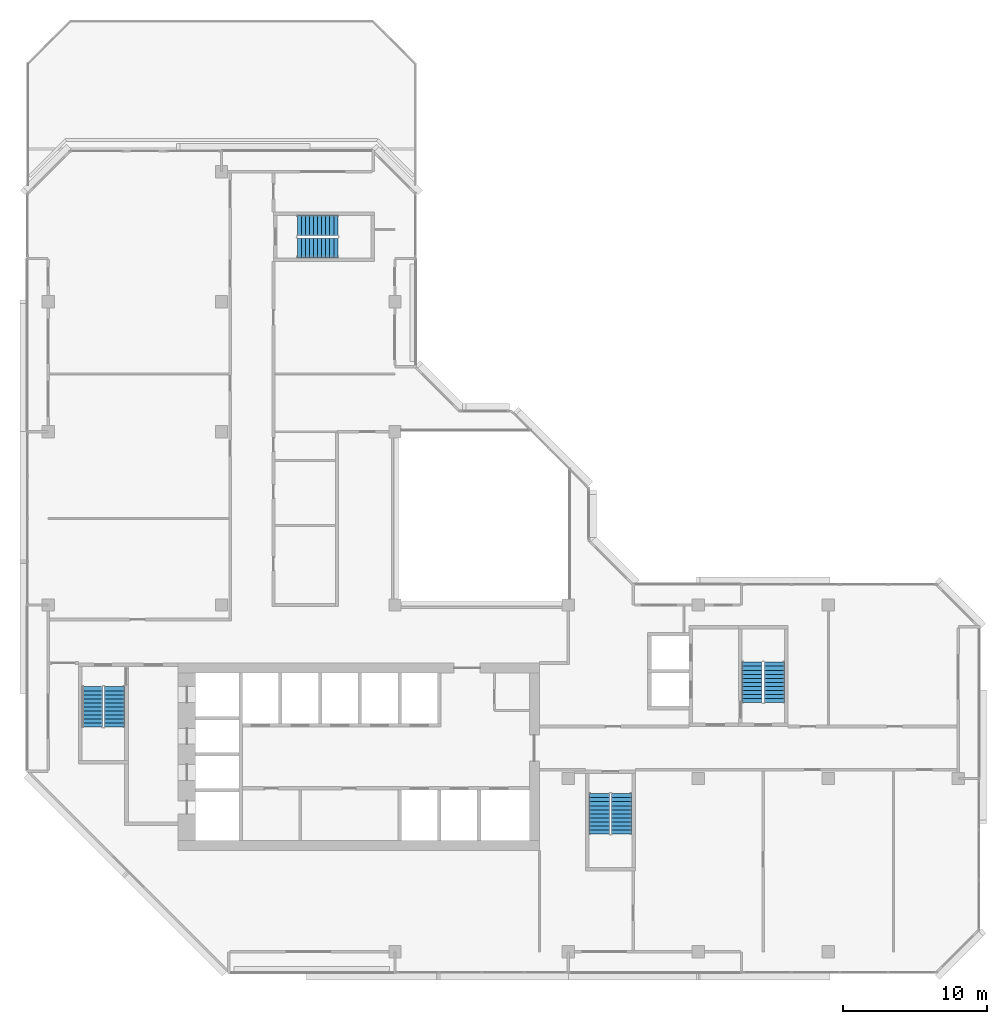
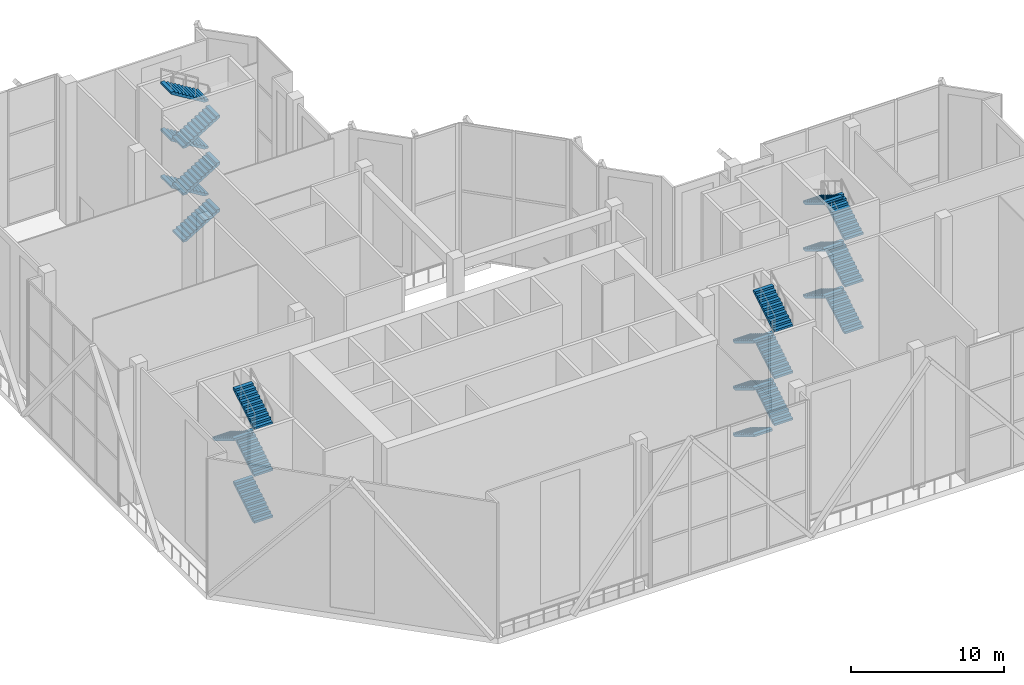
# One storey, part 14 of 18: 22 stair flights, 4 elements without a shape of their own.
"""IFC4 building model written with IfcOpenShell, lengths in metres."""

from ifc_helpers import new_model, si_unit, direction, frame, origin, place, context, subcontext, project, spatial, polyline, outline, extrude, material, type_object, element, aggregate, save


model = new_model("IFC4")

# Units and contexts
model_context = context("Model", 3, precision=1e-05, world=origin(), true_north=direction((0.0, 1.0)))
body_context = subcontext(model_context, "Body", "Model", "MODEL_VIEW")
ifc_project = project(units=[si_unit("LENGTHUNIT", "METRE"), si_unit("AREAUNIT", "SQUARE_METRE"), si_unit("VOLUMEUNIT", "CUBIC_METRE"), si_unit("PLANEANGLEUNIT", "RADIAN"), si_unit("MASSUNIT", "GRAM", prefix="KILO")], contexts=[model_context])

# Site, building, storey
site_placement = place(None, origin())
site = spatial("IfcSite", under=ifc_project, at=site_placement, CompositionType="ELEMENT")
building_placement = place(site_placement, origin())
building = spatial("IfcBuilding", under=site, at=building_placement, Name="Chenar Terraces", CompositionType="ELEMENT")
storey_placement = place(building_placement, frame((0.0, 0.0, 262.14990234375)))
storey = spatial("IfcBuildingStorey", under=building, at=storey_placement, Name="L62", CompositionType="ELEMENT", Elevation=262.14990234375)

# Stair, stair flights
ifc_material_1 = material(Name="Reinforced concrete C40/50", Category="concrete")
stair_type = type_object("IfcStairType", Name="Core stair 1400 half-turn", PredefinedType="HALF_TURN_STAIR", material=ifc_material_1)
placement = place(storey_placement, origin())
stair_1 = element("IfcStair", 1, at=placement, inside=storey, type_object=stair_type, Name="L62 Stair 1", PredefinedType="HALF_TURN_STAIR")
ifc_material_2 = material(Name="Reinforced concrete C40/50", Category="concrete")
stair_flight_type = type_object("IfcStairFlightType", Name="Core stair flight 1400", PredefinedType="STRAIGHT", material=ifc_material_2)
stair_flight_1_placement = place(storey_placement, frame((4.60009765625, 15.550048828125, 1.875), z_axis=(0.0, 0.0, 1.0), x_axis=(0.0, 1.0, 0.0)))
stair_flight_1 = element("IfcStairFlight", 2, at=stair_flight_1_placement, type_object=stair_flight_type, Name="ST1 flight 2", NumberOfRisers=11, NumberOfTreads=10, PredefinedType="STRAIGHT", RiserHeight=0.170454545, TreadLength=0.28, context=body_context, shape_type="SweptSolid", body=[
    extrude(outline(polyline([(-0.0029296875, 0.0), (-0.0029296875, 0.17041015625), (0.0, 0.17041015625), (0.280029296875, 0.17041015625), (0.280029296875, 0.3408203125), (0.56005859375, 0.3408203125), (0.56005859375, 0.511474609375), (0.840087890625, 0.511474609375), (0.840087890625, 0.681884765625), (1.1201171875, 0.681884765625), (1.1201171875, 0.852294921875), (1.39990234375, 0.852294921875), (1.39990234375, 1.022705078125), (1.679931640625, 1.022705078125), (1.679931640625, 1.193115234375), (1.9599609375, 1.193115234375), (1.9599609375, 1.363525390625), (2.239990234375, 1.363525390625), (2.239990234375, 1.5341796875), (2.52001953125, 1.5341796875), (2.52001953125, 1.70458984375), (2.800048828125, 1.70458984375), (2.802978515625, 1.70458984375), (2.802978515625, 1.529052734375), (2.800048828125, 1.529052734375), (0.288330078125, 0.0), (-0.0029296875, 0.0)])), frame((0.0, 0.699951171875, 0.0), z_axis=(0.0, -1.0, 0.0), x_axis=(1.0, 0.0, 0.0)), (0.0, 0.0, 1.0), 1.39990234375),
])
stair_flight_2_placement = place(storey_placement, frame((4.60009765625, 15.550048828125, 5.625), z_axis=(0.0, 0.0, 1.0), x_axis=(0.0, 1.0, 0.0)))
stair_flight_2 = element("IfcStairFlight", 3, at=stair_flight_2_placement, type_object=stair_flight_type, Name="ST1 flight 4", NumberOfRisers=11, NumberOfTreads=10, PredefinedType="STRAIGHT", RiserHeight=0.170454545, TreadLength=0.28, context=body_context, shape_type="SweptSolid", body=[
    extrude(outline(polyline([(-0.0029296875, 0.0), (-0.0029296875, 0.17041015625), (0.0, 0.17041015625), (0.280029296875, 0.17041015625), (0.280029296875, 0.3408203125), (0.56005859375, 0.3408203125), (0.56005859375, 0.511474609375), (0.840087890625, 0.511474609375), (0.840087890625, 0.681884765625), (1.1201171875, 0.681884765625), (1.1201171875, 0.852294921875), (1.39990234375, 0.852294921875), (1.39990234375, 1.022705078125), (1.679931640625, 1.022705078125), (1.679931640625, 1.193115234375), (1.9599609375, 1.193115234375), (1.9599609375, 1.363525390625), (2.239990234375, 1.363525390625), (2.239990234375, 1.5341796875), (2.52001953125, 1.5341796875), (2.52001953125, 1.70458984375), (2.800048828125, 1.70458984375), (2.802978515625, 1.70458984375), (2.802978515625, 1.529052734375), (2.800048828125, 1.529052734375), (0.288330078125, 0.0), (-0.0029296875, 0.0)])), frame((0.0, 0.699951171875, 0.0), z_axis=(0.0, -1.0, 0.0), x_axis=(1.0, 0.0, 0.0)), (0.0, 0.0, 1.0), 1.39990234375),
])
stair_flight_3_placement = place(storey_placement, frame((3.050048828125, 18.35009765625, 7.5), z_axis=(0.0, 0.0, 1.0), x_axis=(0.0, -1.0, 0.0)))
stair_flight_3 = element("IfcStairFlight", 4, at=stair_flight_3_placement, type_object=stair_flight_type, Name="ST1 flight 5", NumberOfRisers=11, NumberOfTreads=10, PredefinedType="STRAIGHT", RiserHeight=0.170454545, TreadLength=0.28, context=body_context, shape_type="SweptSolid", body=[
    extrude(outline(polyline([(-0.0029296875, 0.0), (-0.0029296875, 0.17041015625), (0.0, 0.17041015625), (0.280029296875, 0.17041015625), (0.280029296875, 0.3408203125), (0.56005859375, 0.3408203125), (0.56005859375, 0.511474609375), (0.840087890625, 0.511474609375), (0.840087890625, 0.681884765625), (1.1201171875, 0.681884765625), (1.1201171875, 0.852294921875), (1.39990234375, 0.852294921875), (1.39990234375, 1.022705078125), (1.679931640625, 1.022705078125), (1.679931640625, 1.193115234375), (1.9599609375, 1.193115234375), (1.9599609375, 1.363525390625), (2.239990234375, 1.363525390625), (2.239990234375, 1.5341796875), (2.52001953125, 1.5341796875), (2.52001953125, 1.70458984375), (2.800048828125, 1.70458984375), (2.802978515625, 1.70458984375), (2.802978515625, 1.529052734375), (2.800048828125, 1.529052734375), (0.288330078125, 0.0), (-0.0029296875, 0.0)])), frame((0.0, 0.699951171875, 0.0), z_axis=(0.0, -1.0, 0.0), x_axis=(1.0, 0.0, 0.0)), (0.0, 0.0, 1.0), 1.39990234375),
])
stair_flight_4_placement = place(storey_placement, frame((4.60009765625, 15.550048828125, 9.375), z_axis=(0.0, 0.0, 1.0), x_axis=(0.0, 1.0, 0.0)))
stair_flight_4 = element("IfcStairFlight", 5, at=stair_flight_4_placement, type_object=stair_flight_type, Name="ST1 flight 6", NumberOfRisers=11, NumberOfTreads=10, PredefinedType="STRAIGHT", RiserHeight=0.170454545, TreadLength=0.28, context=body_context, shape_type="SweptSolid", body=[
    extrude(outline(polyline([(-0.0029296875, 0.0), (-0.0029296875, 0.17041015625), (0.0, 0.17041015625), (0.280029296875, 0.17041015625), (0.280029296875, 0.3408203125), (0.56005859375, 0.3408203125), (0.56005859375, 0.511474609375), (0.840087890625, 0.511474609375), (0.840087890625, 0.681884765625), (1.1201171875, 0.681884765625), (1.1201171875, 0.852294921875), (1.39990234375, 0.852294921875), (1.39990234375, 1.022705078125), (1.679931640625, 1.022705078125), (1.679931640625, 1.193115234375), (1.9599609375, 1.193115234375), (1.9599609375, 1.363525390625), (2.239990234375, 1.363525390625), (2.239990234375, 1.5341796875), (2.52001953125, 1.5341796875), (2.52001953125, 1.70458984375), (2.800048828125, 1.70458984375), (2.802978515625, 1.70458984375), (2.802978515625, 1.529052734375), (2.800048828125, 1.529052734375), (0.288330078125, 0.0), (-0.0029296875, 0.0)])), frame((0.0, 0.699951171875, 0.0), z_axis=(0.0, -1.0, 0.0), x_axis=(1.0, 0.0, 0.0)), (0.0, 0.0, 1.0), 1.39990234375),
])
aggregate(stair_1, [stair_flight_1, stair_flight_2, stair_flight_3, stair_flight_4])

stair_2 = element("IfcStair", 6, at=placement, inside=storey, type_object=stair_type, Name="L62 Stair 2", PredefinedType="HALF_TURN_STAIR")
stair_flight_5_placement = place(storey_placement, frame((38.14990234375, 10.949951171875, 0.0), z_axis=(0.0, 0.0, 1.0), x_axis=(0.0, -1.0, 0.0)))
stair_flight_5 = element("IfcStairFlight", 7, at=stair_flight_5_placement, type_object=stair_flight_type, Name="ST2 flight 1", NumberOfRisers=11, NumberOfTreads=10, PredefinedType="STRAIGHT", RiserHeight=0.170454545, TreadLength=0.28, context=body_context, shape_type="SweptSolid", body=[
    extrude(outline(polyline([(-0.0029296875, 0.0), (-0.0029296875, 0.17041015625), (0.0, 0.17041015625), (0.280029296875, 0.17041015625), (0.280029296875, 0.3408203125), (0.56005859375, 0.3408203125), (0.56005859375, 0.511474609375), (0.840087890625, 0.511474609375), (0.840087890625, 0.681884765625), (1.1201171875, 0.681884765625), (1.1201171875, 0.852294921875), (1.39990234375, 0.852294921875), (1.39990234375, 1.022705078125), (1.679931640625, 1.022705078125), (1.679931640625, 1.193115234375), (1.9599609375, 1.193115234375), (1.9599609375, 1.363525390625), (2.239990234375, 1.363525390625), (2.239990234375, 1.5341796875), (2.52001953125, 1.5341796875), (2.52001953125, 1.70458984375), (2.800048828125, 1.70458984375), (2.802978515625, 1.70458984375), (2.802978515625, 1.529052734375), (2.800048828125, 1.529052734375), (0.288330078125, 0.0), (-0.0029296875, 0.0)])), frame((0.0, 0.699951171875, 0.0), z_axis=(0.0, -1.0, 0.0), x_axis=(1.0, 0.0, 0.0)), (0.0, 0.0, 1.0), 1.39990234375),
])
stair_flight_6_placement = place(storey_placement, frame((39.699951171875, 8.14990234375, 1.875), z_axis=(0.0, 0.0, 1.0), x_axis=(0.0, 1.0, 0.0)))
stair_flight_6 = element("IfcStairFlight", 8, at=stair_flight_6_placement, type_object=stair_flight_type, Name="ST2 flight 2", NumberOfRisers=11, NumberOfTreads=10, PredefinedType="STRAIGHT", RiserHeight=0.170454545, TreadLength=0.28, context=body_context, shape_type="SweptSolid", body=[
    extrude(outline(polyline([(-0.0029296875, 0.0), (-0.0029296875, 0.17041015625), (0.0, 0.17041015625), (0.280029296875, 0.17041015625), (0.280029296875, 0.3408203125), (0.56005859375, 0.3408203125), (0.56005859375, 0.511474609375), (0.840087890625, 0.511474609375), (0.840087890625, 0.681884765625), (1.1201171875, 0.681884765625), (1.1201171875, 0.852294921875), (1.39990234375, 0.852294921875), (1.39990234375, 1.022705078125), (1.679931640625, 1.022705078125), (1.679931640625, 1.193115234375), (1.9599609375, 1.193115234375), (1.9599609375, 1.363525390625), (2.239990234375, 1.363525390625), (2.239990234375, 1.5341796875), (2.52001953125, 1.5341796875), (2.52001953125, 1.70458984375), (2.800048828125, 1.70458984375), (2.802978515625, 1.70458984375), (2.802978515625, 1.529052734375), (2.800048828125, 1.529052734375), (0.288330078125, 0.0), (-0.0029296875, 0.0)])), frame((0.0, 0.699951171875, 0.0), z_axis=(0.0, -1.0, 0.0), x_axis=(1.0, 0.0, 0.0)), (0.0, 0.0, 1.0), 1.39990234375),
])
stair_flight_7_placement = place(storey_placement, frame((38.14990234375, 10.949951171875, 3.75), z_axis=(0.0, 0.0, 1.0), x_axis=(0.0, -1.0, 0.0)))
stair_flight_7 = element("IfcStairFlight", 9, at=stair_flight_7_placement, type_object=stair_flight_type, Name="ST2 flight 3", NumberOfRisers=11, NumberOfTreads=10, PredefinedType="STRAIGHT", RiserHeight=0.170454545, TreadLength=0.28, context=body_context, shape_type="SweptSolid", body=[
    extrude(outline(polyline([(-0.0029296875, 0.0), (-0.0029296875, 0.17041015625), (0.0, 0.17041015625), (0.280029296875, 0.17041015625), (0.280029296875, 0.3408203125), (0.56005859375, 0.3408203125), (0.56005859375, 0.511474609375), (0.840087890625, 0.511474609375), (0.840087890625, 0.681884765625), (1.1201171875, 0.681884765625), (1.1201171875, 0.852294921875), (1.39990234375, 0.852294921875), (1.39990234375, 1.022705078125), (1.679931640625, 1.022705078125), (1.679931640625, 1.193115234375), (1.9599609375, 1.193115234375), (1.9599609375, 1.363525390625), (2.239990234375, 1.363525390625), (2.239990234375, 1.5341796875), (2.52001953125, 1.5341796875), (2.52001953125, 1.70458984375), (2.800048828125, 1.70458984375), (2.802978515625, 1.70458984375), (2.802978515625, 1.529052734375), (2.800048828125, 1.529052734375), (0.288330078125, 0.0), (-0.0029296875, 0.0)])), frame((0.0, 0.699951171875, 0.0), z_axis=(0.0, -1.0, 0.0), x_axis=(1.0, 0.0, 0.0)), (0.0, 0.0, 1.0), 1.39990234375),
])
stair_flight_8_placement = place(storey_placement, frame((39.699951171875, 8.14990234375, 5.625), z_axis=(0.0, 0.0, 1.0), x_axis=(0.0, 1.0, 0.0)))
stair_flight_8 = element("IfcStairFlight", 10, at=stair_flight_8_placement, type_object=stair_flight_type, Name="ST2 flight 4", NumberOfRisers=11, NumberOfTreads=10, PredefinedType="STRAIGHT", RiserHeight=0.170454545, TreadLength=0.28, context=body_context, shape_type="SweptSolid", body=[
    extrude(outline(polyline([(-0.0029296875, 0.0), (-0.0029296875, 0.17041015625), (0.0, 0.17041015625), (0.280029296875, 0.17041015625), (0.280029296875, 0.3408203125), (0.56005859375, 0.3408203125), (0.56005859375, 0.511474609375), (0.840087890625, 0.511474609375), (0.840087890625, 0.681884765625), (1.1201171875, 0.681884765625), (1.1201171875, 0.852294921875), (1.39990234375, 0.852294921875), (1.39990234375, 1.022705078125), (1.679931640625, 1.022705078125), (1.679931640625, 1.193115234375), (1.9599609375, 1.193115234375), (1.9599609375, 1.363525390625), (2.239990234375, 1.363525390625), (2.239990234375, 1.5341796875), (2.52001953125, 1.5341796875), (2.52001953125, 1.70458984375), (2.800048828125, 1.70458984375), (2.802978515625, 1.70458984375), (2.802978515625, 1.529052734375), (2.800048828125, 1.529052734375), (0.288330078125, 0.0), (-0.0029296875, 0.0)])), frame((0.0, 0.699951171875, 0.0), z_axis=(0.0, -1.0, 0.0), x_axis=(1.0, 0.0, 0.0)), (0.0, 0.0, 1.0), 1.39990234375),
])
stair_flight_9_placement = place(storey_placement, frame((38.14990234375, 10.949951171875, 7.5), z_axis=(0.0, 0.0, 1.0), x_axis=(0.0, -1.0, 0.0)))
stair_flight_9 = element("IfcStairFlight", 11, at=stair_flight_9_placement, type_object=stair_flight_type, Name="ST2 flight 5", NumberOfRisers=11, NumberOfTreads=10, PredefinedType="STRAIGHT", RiserHeight=0.170454545, TreadLength=0.28, context=body_context, shape_type="SweptSolid", body=[
    extrude(outline(polyline([(-0.0029296875, 0.0), (-0.0029296875, 0.17041015625), (0.0, 0.17041015625), (0.280029296875, 0.17041015625), (0.280029296875, 0.3408203125), (0.56005859375, 0.3408203125), (0.56005859375, 0.511474609375), (0.840087890625, 0.511474609375), (0.840087890625, 0.681884765625), (1.1201171875, 0.681884765625), (1.1201171875, 0.852294921875), (1.39990234375, 0.852294921875), (1.39990234375, 1.022705078125), (1.679931640625, 1.022705078125), (1.679931640625, 1.193115234375), (1.9599609375, 1.193115234375), (1.9599609375, 1.363525390625), (2.239990234375, 1.363525390625), (2.239990234375, 1.5341796875), (2.52001953125, 1.5341796875), (2.52001953125, 1.70458984375), (2.800048828125, 1.70458984375), (2.802978515625, 1.70458984375), (2.802978515625, 1.529052734375), (2.800048828125, 1.529052734375), (0.288330078125, 0.0), (-0.0029296875, 0.0)])), frame((0.0, 0.699951171875, 0.0), z_axis=(0.0, -1.0, 0.0), x_axis=(1.0, 0.0, 0.0)), (0.0, 0.0, 1.0), 1.39990234375),
])
stair_flight_10_placement = place(storey_placement, frame((39.699951171875, 8.14990234375, 9.375), z_axis=(0.0, 0.0, 1.0), x_axis=(0.0, 1.0, 0.0)))
stair_flight_10 = element("IfcStairFlight", 12, at=stair_flight_10_placement, type_object=stair_flight_type, Name="ST2 flight 6", NumberOfRisers=11, NumberOfTreads=10, PredefinedType="STRAIGHT", RiserHeight=0.170454545, TreadLength=0.28, context=body_context, shape_type="SweptSolid", body=[
    extrude(outline(polyline([(-0.0029296875, 0.0), (-0.0029296875, 0.17041015625), (0.0, 0.17041015625), (0.280029296875, 0.17041015625), (0.280029296875, 0.3408203125), (0.56005859375, 0.3408203125), (0.56005859375, 0.511474609375), (0.840087890625, 0.511474609375), (0.840087890625, 0.681884765625), (1.1201171875, 0.681884765625), (1.1201171875, 0.852294921875), (1.39990234375, 0.852294921875), (1.39990234375, 1.022705078125), (1.679931640625, 1.022705078125), (1.679931640625, 1.193115234375), (1.9599609375, 1.193115234375), (1.9599609375, 1.363525390625), (2.239990234375, 1.363525390625), (2.239990234375, 1.5341796875), (2.52001953125, 1.5341796875), (2.52001953125, 1.70458984375), (2.800048828125, 1.70458984375), (2.802978515625, 1.70458984375), (2.802978515625, 1.529052734375), (2.800048828125, 1.529052734375), (0.288330078125, 0.0), (-0.0029296875, 0.0)])), frame((0.0, 0.699951171875, 0.0), z_axis=(0.0, -1.0, 0.0), x_axis=(1.0, 0.0, 0.0)), (0.0, 0.0, 1.0), 1.39990234375),
])
aggregate(stair_2, [stair_flight_5, stair_flight_6, stair_flight_7, stair_flight_8, stair_flight_9, stair_flight_10])

stair_3 = element("IfcStair", 13, at=placement, inside=storey, type_object=stair_type, Name="L62 Stair 3", PredefinedType="HALF_TURN_STAIR")
stair_flight_11_placement = place(storey_placement, frame((50.27490234375, 17.25, 0.0), z_axis=(0.0, 0.0, 1.0), x_axis=(0.0, 1.0, 0.0)))
stair_flight_11 = element("IfcStairFlight", 14, at=stair_flight_11_placement, type_object=stair_flight_type, Name="ST3 flight 1", NumberOfRisers=11, NumberOfTreads=10, PredefinedType="STRAIGHT", RiserHeight=0.170454545, TreadLength=0.28, context=body_context, shape_type="SweptSolid", body=[
    extrude(outline(polyline([(-0.0029296875, 0.0), (-0.0029296875, 0.17041015625), (0.0, 0.17041015625), (0.280029296875, 0.17041015625), (0.280029296875, 0.3408203125), (0.56005859375, 0.3408203125), (0.56005859375, 0.511474609375), (0.840087890625, 0.511474609375), (0.840087890625, 0.681884765625), (1.1201171875, 0.681884765625), (1.1201171875, 0.852294921875), (1.39990234375, 0.852294921875), (1.39990234375, 1.022705078125), (1.679931640625, 1.022705078125), (1.679931640625, 1.193115234375), (1.9599609375, 1.193115234375), (1.9599609375, 1.363525390625), (2.239990234375, 1.363525390625), (2.239990234375, 1.5341796875), (2.52001953125, 1.5341796875), (2.52001953125, 1.70458984375), (2.800048828125, 1.70458984375), (2.802978515625, 1.70458984375), (2.802978515625, 1.529052734375), (2.800048828125, 1.529052734375), (0.288330078125, 0.0), (-0.0029296875, 0.0)])), frame((0.0, 0.699951171875, 0.0), z_axis=(0.0, -1.0, 0.0), x_axis=(1.0, 0.0, 0.0)), (0.0, 0.0, 1.0), 1.39990234375),
])
stair_flight_12_placement = place(storey_placement, frame((48.72509765625, 20.050048828125, 1.875), z_axis=(0.0, 0.0, 1.0), x_axis=(0.0, -1.0, 0.0)))
stair_flight_12 = element("IfcStairFlight", 15, at=stair_flight_12_placement, type_object=stair_flight_type, Name="ST3 flight 2", NumberOfRisers=11, NumberOfTreads=10, PredefinedType="STRAIGHT", RiserHeight=0.170454545, TreadLength=0.28, context=body_context, shape_type="SweptSolid", body=[
    extrude(outline(polyline([(-0.0029296875, 0.0), (-0.0029296875, 0.17041015625), (0.0, 0.17041015625), (0.280029296875, 0.17041015625), (0.280029296875, 0.3408203125), (0.56005859375, 0.3408203125), (0.56005859375, 0.511474609375), (0.840087890625, 0.511474609375), (0.840087890625, 0.681884765625), (1.1201171875, 0.681884765625), (1.1201171875, 0.852294921875), (1.39990234375, 0.852294921875), (1.39990234375, 1.022705078125), (1.679931640625, 1.022705078125), (1.679931640625, 1.193115234375), (1.9599609375, 1.193115234375), (1.9599609375, 1.363525390625), (2.239990234375, 1.363525390625), (2.239990234375, 1.5341796875), (2.52001953125, 1.5341796875), (2.52001953125, 1.70458984375), (2.800048828125, 1.70458984375), (2.802978515625, 1.70458984375), (2.802978515625, 1.529052734375), (2.800048828125, 1.529052734375), (0.288330078125, 0.0), (-0.0029296875, 0.0)])), frame((0.0, 0.699951171875, 0.0), z_axis=(0.0, -1.0, 0.0), x_axis=(1.0, 0.0, 0.0)), (0.0, 0.0, 1.0), 1.39990234375),
])
stair_flight_13_placement = place(storey_placement, frame((50.27490234375, 17.25, 3.75), z_axis=(0.0, 0.0, 1.0), x_axis=(0.0, 1.0, 0.0)))
stair_flight_13 = element("IfcStairFlight", 16, at=stair_flight_13_placement, type_object=stair_flight_type, Name="ST3 flight 3", NumberOfRisers=11, NumberOfTreads=10, PredefinedType="STRAIGHT", RiserHeight=0.170454545, TreadLength=0.28, context=body_context, shape_type="SweptSolid", body=[
    extrude(outline(polyline([(-0.0029296875, 0.0), (-0.0029296875, 0.17041015625), (0.0, 0.17041015625), (0.280029296875, 0.17041015625), (0.280029296875, 0.3408203125), (0.56005859375, 0.3408203125), (0.56005859375, 0.511474609375), (0.840087890625, 0.511474609375), (0.840087890625, 0.681884765625), (1.1201171875, 0.681884765625), (1.1201171875, 0.852294921875), (1.39990234375, 0.852294921875), (1.39990234375, 1.022705078125), (1.679931640625, 1.022705078125), (1.679931640625, 1.193115234375), (1.9599609375, 1.193115234375), (1.9599609375, 1.363525390625), (2.239990234375, 1.363525390625), (2.239990234375, 1.5341796875), (2.52001953125, 1.5341796875), (2.52001953125, 1.70458984375), (2.800048828125, 1.70458984375), (2.802978515625, 1.70458984375), (2.802978515625, 1.529052734375), (2.800048828125, 1.529052734375), (0.288330078125, 0.0), (-0.0029296875, 0.0)])), frame((0.0, 0.699951171875, 0.0), z_axis=(0.0, -1.0, 0.0), x_axis=(1.0, 0.0, 0.0)), (0.0, 0.0, 1.0), 1.39990234375),
])
stair_flight_14_placement = place(storey_placement, frame((48.72509765625, 20.050048828125, 5.625), z_axis=(0.0, 0.0, 1.0), x_axis=(0.0, -1.0, 0.0)))
stair_flight_14 = element("IfcStairFlight", 17, at=stair_flight_14_placement, type_object=stair_flight_type, Name="ST3 flight 4", NumberOfRisers=11, NumberOfTreads=10, PredefinedType="STRAIGHT", RiserHeight=0.170454545, TreadLength=0.28, context=body_context, shape_type="SweptSolid", body=[
    extrude(outline(polyline([(-0.0029296875, 0.0), (-0.0029296875, 0.17041015625), (0.0, 0.17041015625), (0.280029296875, 0.17041015625), (0.280029296875, 0.3408203125), (0.56005859375, 0.3408203125), (0.56005859375, 0.511474609375), (0.840087890625, 0.511474609375), (0.840087890625, 0.681884765625), (1.1201171875, 0.681884765625), (1.1201171875, 0.852294921875), (1.39990234375, 0.852294921875), (1.39990234375, 1.022705078125), (1.679931640625, 1.022705078125), (1.679931640625, 1.193115234375), (1.9599609375, 1.193115234375), (1.9599609375, 1.363525390625), (2.239990234375, 1.363525390625), (2.239990234375, 1.5341796875), (2.52001953125, 1.5341796875), (2.52001953125, 1.70458984375), (2.800048828125, 1.70458984375), (2.802978515625, 1.70458984375), (2.802978515625, 1.529052734375), (2.800048828125, 1.529052734375), (0.288330078125, 0.0), (-0.0029296875, 0.0)])), frame((0.0, 0.699951171875, 0.0), z_axis=(0.0, -1.0, 0.0), x_axis=(1.0, 0.0, 0.0)), (0.0, 0.0, 1.0), 1.39990234375),
])
stair_flight_15_placement = place(storey_placement, frame((50.27490234375, 17.25, 7.5), z_axis=(0.0, 0.0, 1.0), x_axis=(0.0, 1.0, 0.0)))
stair_flight_15 = element("IfcStairFlight", 18, at=stair_flight_15_placement, type_object=stair_flight_type, Name="ST3 flight 5", NumberOfRisers=11, NumberOfTreads=10, PredefinedType="STRAIGHT", RiserHeight=0.170454545, TreadLength=0.28, context=body_context, shape_type="SweptSolid", body=[
    extrude(outline(polyline([(-0.0029296875, 0.0), (-0.0029296875, 0.17041015625), (0.0, 0.17041015625), (0.280029296875, 0.17041015625), (0.280029296875, 0.3408203125), (0.56005859375, 0.3408203125), (0.56005859375, 0.511474609375), (0.840087890625, 0.511474609375), (0.840087890625, 0.681884765625), (1.1201171875, 0.681884765625), (1.1201171875, 0.852294921875), (1.39990234375, 0.852294921875), (1.39990234375, 1.022705078125), (1.679931640625, 1.022705078125), (1.679931640625, 1.193115234375), (1.9599609375, 1.193115234375), (1.9599609375, 1.363525390625), (2.239990234375, 1.363525390625), (2.239990234375, 1.5341796875), (2.52001953125, 1.5341796875), (2.52001953125, 1.70458984375), (2.800048828125, 1.70458984375), (2.802978515625, 1.70458984375), (2.802978515625, 1.529052734375), (2.800048828125, 1.529052734375), (0.288330078125, 0.0), (-0.0029296875, 0.0)])), frame((0.0, 0.699951171875, 0.0), z_axis=(0.0, -1.0, 0.0), x_axis=(1.0, 0.0, 0.0)), (0.0, 0.0, 1.0), 1.39990234375),
])
stair_flight_16_placement = place(storey_placement, frame((48.72509765625, 20.050048828125, 9.375), z_axis=(0.0, 0.0, 1.0), x_axis=(0.0, -1.0, 0.0)))
stair_flight_16 = element("IfcStairFlight", 19, at=stair_flight_16_placement, type_object=stair_flight_type, Name="ST3 flight 6", NumberOfRisers=11, NumberOfTreads=10, PredefinedType="STRAIGHT", RiserHeight=0.170454545, TreadLength=0.28, context=body_context, shape_type="SweptSolid", body=[
    extrude(outline(polyline([(-0.0029296875, 0.0), (-0.0029296875, 0.17041015625), (0.0, 0.17041015625), (0.280029296875, 0.17041015625), (0.280029296875, 0.3408203125), (0.56005859375, 0.3408203125), (0.56005859375, 0.511474609375), (0.840087890625, 0.511474609375), (0.840087890625, 0.681884765625), (1.1201171875, 0.681884765625), (1.1201171875, 0.852294921875), (1.39990234375, 0.852294921875), (1.39990234375, 1.022705078125), (1.679931640625, 1.022705078125), (1.679931640625, 1.193115234375), (1.9599609375, 1.193115234375), (1.9599609375, 1.363525390625), (2.239990234375, 1.363525390625), (2.239990234375, 1.5341796875), (2.52001953125, 1.5341796875), (2.52001953125, 1.70458984375), (2.800048828125, 1.70458984375), (2.802978515625, 1.70458984375), (2.802978515625, 1.529052734375), (2.800048828125, 1.529052734375), (0.288330078125, 0.0), (-0.0029296875, 0.0)])), frame((0.0, 0.699951171875, 0.0), z_axis=(0.0, -1.0, 0.0), x_axis=(1.0, 0.0, 0.0)), (0.0, 0.0, 1.0), 1.39990234375),
])
aggregate(stair_3, [stair_flight_11, stair_flight_12, stair_flight_13, stair_flight_14, stair_flight_15, stair_flight_16])

stair_4 = element("IfcStair", 20, at=placement, inside=storey, type_object=stair_type, Name="L62 Stair 4", PredefinedType="HALF_TURN_STAIR")
stair_flight_17_placement = place(storey_placement, frame((17.25, 48.72509765625, 0.0), z_axis=(0.0, 0.0, 1.0), x_axis=(1.0, 0.0, 0.0)))
stair_flight_17 = element("IfcStairFlight", 21, at=stair_flight_17_placement, type_object=stair_flight_type, Name="ST4 flight 1", NumberOfRisers=11, NumberOfTreads=10, PredefinedType="STRAIGHT", RiserHeight=0.170454545, TreadLength=0.28, context=body_context, shape_type="SweptSolid", body=[
    extrude(outline(polyline([(-0.0029296875, 0.0), (-0.0029296875, 0.17041015625), (0.0, 0.17041015625), (0.280029296875, 0.17041015625), (0.280029296875, 0.3408203125), (0.56005859375, 0.3408203125), (0.56005859375, 0.511474609375), (0.840087890625, 0.511474609375), (0.840087890625, 0.681884765625), (1.1201171875, 0.681884765625), (1.1201171875, 0.852294921875), (1.39990234375, 0.852294921875), (1.39990234375, 1.022705078125), (1.679931640625, 1.022705078125), (1.679931640625, 1.193115234375), (1.9599609375, 1.193115234375), (1.9599609375, 1.363525390625), (2.239990234375, 1.363525390625), (2.239990234375, 1.5341796875), (2.52001953125, 1.5341796875), (2.52001953125, 1.70458984375), (2.800048828125, 1.70458984375), (2.802978515625, 1.70458984375), (2.802978515625, 1.529052734375), (2.800048828125, 1.529052734375), (0.288330078125, 0.0), (-0.0029296875, 0.0)])), frame((0.0, 0.699951171875, 0.0), z_axis=(0.0, -1.0, 0.0), x_axis=(1.0, 0.0, 0.0)), (0.0, 0.0, 1.0), 1.39990234375),
])
stair_flight_18_placement = place(storey_placement, frame((20.050048828125, 50.27490234375, 1.875), z_axis=(0.0, 0.0, 1.0), x_axis=(-1.0, 0.0, 0.0)))
stair_flight_18 = element("IfcStairFlight", 22, at=stair_flight_18_placement, type_object=stair_flight_type, Name="ST4 flight 2", NumberOfRisers=11, NumberOfTreads=10, PredefinedType="STRAIGHT", RiserHeight=0.170454545, TreadLength=0.28, context=body_context, shape_type="SweptSolid", body=[
    extrude(outline(polyline([(-0.0029296875, 0.0), (-0.0029296875, 0.17041015625), (0.0, 0.17041015625), (0.280029296875, 0.17041015625), (0.280029296875, 0.3408203125), (0.56005859375, 0.3408203125), (0.56005859375, 0.511474609375), (0.840087890625, 0.511474609375), (0.840087890625, 0.681884765625), (1.1201171875, 0.681884765625), (1.1201171875, 0.852294921875), (1.39990234375, 0.852294921875), (1.39990234375, 1.022705078125), (1.679931640625, 1.022705078125), (1.679931640625, 1.193115234375), (1.9599609375, 1.193115234375), (1.9599609375, 1.363525390625), (2.239990234375, 1.363525390625), (2.239990234375, 1.5341796875), (2.52001953125, 1.5341796875), (2.52001953125, 1.70458984375), (2.800048828125, 1.70458984375), (2.802978515625, 1.70458984375), (2.802978515625, 1.529052734375), (2.800048828125, 1.529052734375), (0.288330078125, 0.0), (-0.0029296875, 0.0)])), frame((0.0, 0.699951171875, 0.0), z_axis=(0.0, -1.0, 0.0), x_axis=(1.0, 0.0, 0.0)), (0.0, 0.0, 1.0), 1.39990234375),
])
stair_flight_19_placement = place(storey_placement, frame((17.25, 48.72509765625, 3.75), z_axis=(0.0, 0.0, 1.0), x_axis=(1.0, 0.0, 0.0)))
stair_flight_19 = element("IfcStairFlight", 23, at=stair_flight_19_placement, type_object=stair_flight_type, Name="ST4 flight 3", NumberOfRisers=11, NumberOfTreads=10, PredefinedType="STRAIGHT", RiserHeight=0.170454545, TreadLength=0.28, context=body_context, shape_type="SweptSolid", body=[
    extrude(outline(polyline([(-0.0029296875, 0.0), (-0.0029296875, 0.17041015625), (0.0, 0.17041015625), (0.280029296875, 0.17041015625), (0.280029296875, 0.3408203125), (0.56005859375, 0.3408203125), (0.56005859375, 0.511474609375), (0.840087890625, 0.511474609375), (0.840087890625, 0.681884765625), (1.1201171875, 0.681884765625), (1.1201171875, 0.852294921875), (1.39990234375, 0.852294921875), (1.39990234375, 1.022705078125), (1.679931640625, 1.022705078125), (1.679931640625, 1.193115234375), (1.9599609375, 1.193115234375), (1.9599609375, 1.363525390625), (2.239990234375, 1.363525390625), (2.239990234375, 1.5341796875), (2.52001953125, 1.5341796875), (2.52001953125, 1.70458984375), (2.800048828125, 1.70458984375), (2.802978515625, 1.70458984375), (2.802978515625, 1.529052734375), (2.800048828125, 1.529052734375), (0.288330078125, 0.0), (-0.0029296875, 0.0)])), frame((0.0, 0.699951171875, 0.0), z_axis=(0.0, -1.0, 0.0), x_axis=(1.0, 0.0, 0.0)), (0.0, 0.0, 1.0), 1.39990234375),
])
stair_flight_20_placement = place(storey_placement, frame((20.050048828125, 50.27490234375, 5.625), z_axis=(0.0, 0.0, 1.0), x_axis=(-1.0, 0.0, 0.0)))
stair_flight_20 = element("IfcStairFlight", 24, at=stair_flight_20_placement, type_object=stair_flight_type, Name="ST4 flight 4", NumberOfRisers=11, NumberOfTreads=10, PredefinedType="STRAIGHT", RiserHeight=0.170454545, TreadLength=0.28, context=body_context, shape_type="SweptSolid", body=[
    extrude(outline(polyline([(-0.0029296875, 0.0), (-0.0029296875, 0.17041015625), (0.0, 0.17041015625), (0.280029296875, 0.17041015625), (0.280029296875, 0.3408203125), (0.56005859375, 0.3408203125), (0.56005859375, 0.511474609375), (0.840087890625, 0.511474609375), (0.840087890625, 0.681884765625), (1.1201171875, 0.681884765625), (1.1201171875, 0.852294921875), (1.39990234375, 0.852294921875), (1.39990234375, 1.022705078125), (1.679931640625, 1.022705078125), (1.679931640625, 1.193115234375), (1.9599609375, 1.193115234375), (1.9599609375, 1.363525390625), (2.239990234375, 1.363525390625), (2.239990234375, 1.5341796875), (2.52001953125, 1.5341796875), (2.52001953125, 1.70458984375), (2.800048828125, 1.70458984375), (2.802978515625, 1.70458984375), (2.802978515625, 1.529052734375), (2.800048828125, 1.529052734375), (0.288330078125, 0.0), (-0.0029296875, 0.0)])), frame((0.0, 0.699951171875, 0.0), z_axis=(0.0, -1.0, 0.0), x_axis=(1.0, 0.0, 0.0)), (0.0, 0.0, 1.0), 1.39990234375),
])
stair_flight_21_placement = place(storey_placement, frame((17.25, 48.72509765625, 7.5), z_axis=(0.0, 0.0, 1.0), x_axis=(1.0, 0.0, 0.0)))
stair_flight_21 = element("IfcStairFlight", 25, at=stair_flight_21_placement, type_object=stair_flight_type, Name="ST4 flight 5", NumberOfRisers=11, NumberOfTreads=10, PredefinedType="STRAIGHT", RiserHeight=0.170454545, TreadLength=0.28, context=body_context, shape_type="SweptSolid", body=[
    extrude(outline(polyline([(-0.0029296875, 0.0), (-0.0029296875, 0.17041015625), (0.0, 0.17041015625), (0.280029296875, 0.17041015625), (0.280029296875, 0.3408203125), (0.56005859375, 0.3408203125), (0.56005859375, 0.511474609375), (0.840087890625, 0.511474609375), (0.840087890625, 0.681884765625), (1.1201171875, 0.681884765625), (1.1201171875, 0.852294921875), (1.39990234375, 0.852294921875), (1.39990234375, 1.022705078125), (1.679931640625, 1.022705078125), (1.679931640625, 1.193115234375), (1.9599609375, 1.193115234375), (1.9599609375, 1.363525390625), (2.239990234375, 1.363525390625), (2.239990234375, 1.5341796875), (2.52001953125, 1.5341796875), (2.52001953125, 1.70458984375), (2.800048828125, 1.70458984375), (2.802978515625, 1.70458984375), (2.802978515625, 1.529052734375), (2.800048828125, 1.529052734375), (0.288330078125, 0.0), (-0.0029296875, 0.0)])), frame((0.0, 0.699951171875, 0.0), z_axis=(0.0, -1.0, 0.0), x_axis=(1.0, 0.0, 0.0)), (0.0, 0.0, 1.0), 1.39990234375),
])
stair_flight_22_placement = place(storey_placement, frame((20.050048828125, 50.27490234375, 9.375), z_axis=(0.0, 0.0, 1.0), x_axis=(-1.0, 0.0, 0.0)))
stair_flight_22 = element("IfcStairFlight", 26, at=stair_flight_22_placement, type_object=stair_flight_type, Name="ST4 flight 6", NumberOfRisers=11, NumberOfTreads=10, PredefinedType="STRAIGHT", RiserHeight=0.170454545, TreadLength=0.28, context=body_context, shape_type="SweptSolid", body=[
    extrude(outline(polyline([(-0.0029296875, 0.0), (-0.0029296875, 0.17041015625), (0.0, 0.17041015625), (0.280029296875, 0.17041015625), (0.280029296875, 0.3408203125), (0.56005859375, 0.3408203125), (0.56005859375, 0.511474609375), (0.840087890625, 0.511474609375), (0.840087890625, 0.681884765625), (1.1201171875, 0.681884765625), (1.1201171875, 0.852294921875), (1.39990234375, 0.852294921875), (1.39990234375, 1.022705078125), (1.679931640625, 1.022705078125), (1.679931640625, 1.193115234375), (1.9599609375, 1.193115234375), (1.9599609375, 1.363525390625), (2.239990234375, 1.363525390625), (2.239990234375, 1.5341796875), (2.52001953125, 1.5341796875), (2.52001953125, 1.70458984375), (2.800048828125, 1.70458984375), (2.802978515625, 1.70458984375), (2.802978515625, 1.529052734375), (2.800048828125, 1.529052734375), (0.288330078125, 0.0), (-0.0029296875, 0.0)])), frame((0.0, 0.699951171875, 0.0), z_axis=(0.0, -1.0, 0.0), x_axis=(1.0, 0.0, 0.0)), (0.0, 0.0, 1.0), 1.39990234375),
])
aggregate(stair_4, [stair_flight_17, stair_flight_18, stair_flight_19, stair_flight_20, stair_flight_21, stair_flight_22])

save(model, "model.ifc")
